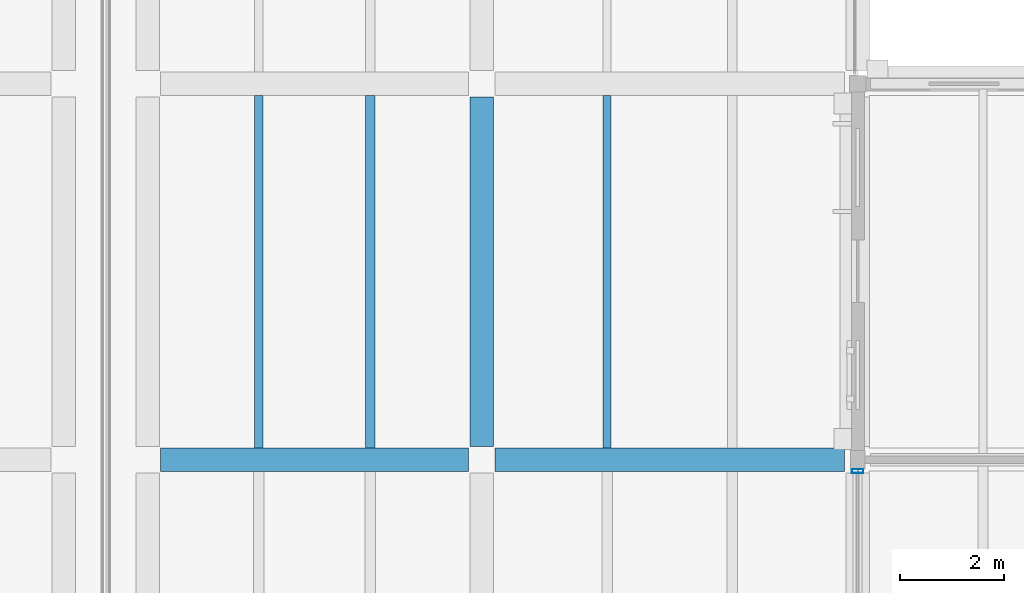
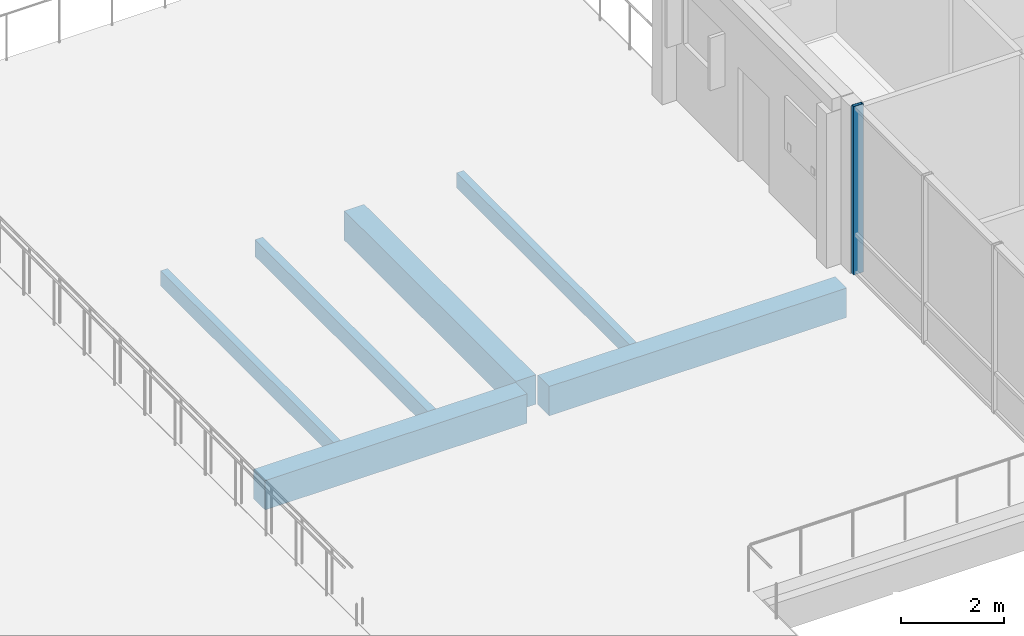
# One storey, part 60 of 115: 6 beams, 1 member, 1 element without a shape of its own.
"""IFC4 building model written with IfcOpenShell, lengths in metres."""

from ifc_helpers import new_model, si_unit, direction, frame, origin, origin_2d, place, context, subcontext, project, spatial, rectangle, hollow_rectangle, extrude, material, material_profile, profile_set, type_object, element, aggregate, save


model = new_model("IFC4")

# Units and contexts
model_context = context("Model", 3, precision=1e-05, world=origin(), true_north=direction((0.0, 1.0)))
body_context = subcontext(model_context, "Body", "Model", "MODEL_VIEW")
ifc_project = project(units=[si_unit("LENGTHUNIT", "METRE"), si_unit("AREAUNIT", "SQUARE_METRE"), si_unit("VOLUMEUNIT", "CUBIC_METRE"), si_unit("PLANEANGLEUNIT", "RADIAN"), si_unit("MASSUNIT", "GRAM", prefix="KILO")], contexts=[model_context])

# Site, building, storey
site_placement = place(None, origin())
site = spatial("IfcSite", under=ifc_project, at=site_placement, CompositionType="ELEMENT")
building_placement = place(site_placement, origin())
building = spatial("IfcBuilding", under=site, at=building_placement, Name="Hawrajan Terrace Health Centre", CompositionType="ELEMENT")
storey_placement = place(building_placement, frame((0.0, 0.0, 9.0)))
storey = spatial("IfcBuildingStorey", under=building, at=storey_placement, Name="L02", CompositionType="ELEMENT", Elevation=9.0)

# Curtain wall, member
ifc_material_1 = material(Name="Anodized bronze aluminium and low-E solar glazing", Category="aluminium")
curtain_wall_type = type_object("IfcCurtainWallType", Name="CW_Court_SeriesB2", PredefinedType="USERDEFINED", material=ifc_material_1)
curtain_wall_placement = place(storey_placement, origin())
curtain_wall = element("IfcCurtainWall", 1, at=curtain_wall_placement, inside=storey, type_object=curtain_wall_type, Name="Curtain wall CW-L02-149", ObjectType="UNITISED CURTAIN WALL", PredefinedType="USERDEFINED")
ifc_material_2 = material(Name="Anodized bronze aluminium 6063-T6", Category="aluminium")
ifc_material_profile_1 = material_profile(ifc_material_2, hollow_rectangle(XDim=0.074951171875, YDim=0.219970703125, WallThickness=0.0048828125, at=origin_2d()), Name="CW MUL 75x220")
ifc_profile_set_1 = profile_set([ifc_material_profile_1], Name="Anodized bronze aluminium 6063-T6")
member_type = type_object("IfcMemberType", Name="CWMullion_75x220", PredefinedType="MULLION", material=ifc_profile_set_1)
member_placement = place(storey_placement, frame((143.800048828125, 45.1826171875, -0.0048828125), z_axis=(0.0, 0.0, 1.0), x_axis=(0.0, 1.0, 0.0)))
member = element("IfcMember", 2, at=member_placement, type_object=member_type, Name="Mullion CW-L02-149-M4", PredefinedType="MULLION", context=body_context, shape_type="SweptSolid", body=[
    extrude(hollow_rectangle(XDim=0.074951171875, YDim=0.219970703125, WallThickness=0.0048828125, at=origin_2d()), origin(), (0.0, 0.0, 1.0), 4.009765625),
])
aggregate(curtain_wall, [member])

# Beams
ifc_material_3 = material(Name="Glulam GL28h", Category="wood")
ifc_material_profile_2 = material_profile(ifc_material_3, rectangle(XDim=0.159912109375, YDim=0.360107421875, at=origin_2d()), Name="GL JST 160x360")
ifc_profile_set_2 = profile_set([ifc_material_profile_2], Name="Glulam GL28h")
beam_type_1 = type_object("IfcBeamType", Name="GlulamJoist_160x360", PredefinedType="JOIST", material=ifc_profile_set_2)
for number, where, z_axis, x_axis, name in (
    (3, (132.333251953125, 45.625, -0.4599609375), (0.0, 1.0, 0.0), (-1.0, 0.0, 0.0), "Secondary joist JST-L02-E-17-6-1"),
    (4, (139.0, 45.625, -0.4599609375), (0.0, 1.0, 0.0), (-1.0, 0.0, 0.0), "Secondary joist JST-L02-E-18-6-1"),
):
    element("IfcBeam", number, at=place(storey_placement, frame(where, z_axis=z_axis, x_axis=x_axis)), inside=storey, type_object=beam_type_1, Name=name, PredefinedType="JOIST", context=body_context, shape_type="SweptSolid", body=[
        extrude(rectangle(XDim=0.159912109375, YDim=0.360107421875, at=origin_2d()), origin(), (0.0, 0.0, 1.0), 6.75),
    ])
ifc_material_profile_3 = material_profile(ifc_material_3, rectangle(XDim=0.179931640625, YDim=0.39990234375, at=origin_2d()), Name="GL JST 180x400")
ifc_profile_set_3 = profile_set([ifc_material_profile_3], Name="Glulam GL28h")
beam_type_2 = type_object("IfcBeamType", Name="GlulamJoist_180x400", PredefinedType="JOIST", material=ifc_profile_set_3)
beam_1_placement = place(storey_placement, frame((134.466796875, 45.625, -0.47998046875), z_axis=(0.0, 1.0, 0.0), x_axis=(-1.0, 0.0, 0.0)))
element("IfcBeam", 5, at=beam_1_placement, inside=storey, type_object=beam_type_2, Name="Secondary joist JST-L02-E-17-6-2", PredefinedType="JOIST", context=body_context, shape_type="SweptSolid", body=[
    extrude(rectangle(XDim=0.179931640625, YDim=0.39990234375, at=origin_2d()), origin(), (0.0, 0.0, 1.0), 6.75),
])
ifc_material_4 = material(Name="Concrete C40/50", Category="concrete")
ifc_material_profile_4 = material_profile(ifc_material_4, rectangle(XDim=0.449951171875, YDim=0.699951171875, at=origin_2d()), Name="RC BM 450x700")
ifc_profile_set_4 = profile_set([ifc_material_profile_4], Name="Concrete C40/50")
beam_type_3 = type_object("IfcBeamType", Name="RCGirder_450x700", PredefinedType="BEAM", material=ifc_profile_set_4)
beam_2_placement = place(storey_placement, frame((130.449951171875, 45.39990234375, -0.6298828125), z_axis=(1.0, 0.0, 0.0), x_axis=(0.0, 1.0, 0.0)))
element("IfcBeam", 6, at=beam_2_placement, inside=storey, type_object=beam_type_3, Name="Beam BM-X-L02-E-17-Y6", PredefinedType="BEAM", context=body_context, shape_type="SweptSolid", body=[
    extrude(rectangle(XDim=0.449951171875, YDim=0.699951171875, at=origin_2d()), origin(), (0.0, 0.0, 1.0), 5.900146484375),
])
beam_3_placement = place(storey_placement, frame((136.85009765625, 45.39990234375, -0.6298828125), z_axis=(1.0, 0.0, 0.0), x_axis=(0.0, 1.0, 0.0)))
element("IfcBeam", 7, at=beam_3_placement, inside=storey, type_object=beam_type_3, Name="Beam BM-X-L02-E-18-Y6", PredefinedType="BEAM", context=body_context, shape_type="SweptSolid", body=[
    extrude(rectangle(XDim=0.449951171875, YDim=0.699951171875, at=origin_2d()), origin(), (0.0, 0.0, 1.0), 6.699951171875),
])
beam_4_placement = place(storey_placement, frame((136.60009765625, 45.64990234375, -0.6298828125), z_axis=(0.0, 1.0, 0.0), x_axis=(-1.0, 0.0, 0.0)))
element("IfcBeam", 8, at=beam_4_placement, inside=storey, type_object=beam_type_3, Name="Beam BM-Y-L02-E-X18-6", PredefinedType="BEAM", context=body_context, shape_type="SweptSolid", body=[
    extrude(rectangle(XDim=0.449951171875, YDim=0.699951171875, at=origin_2d()), origin(), (0.0, 0.0, 1.0), 6.7001953125),
])

save(model, "model.ifc")
